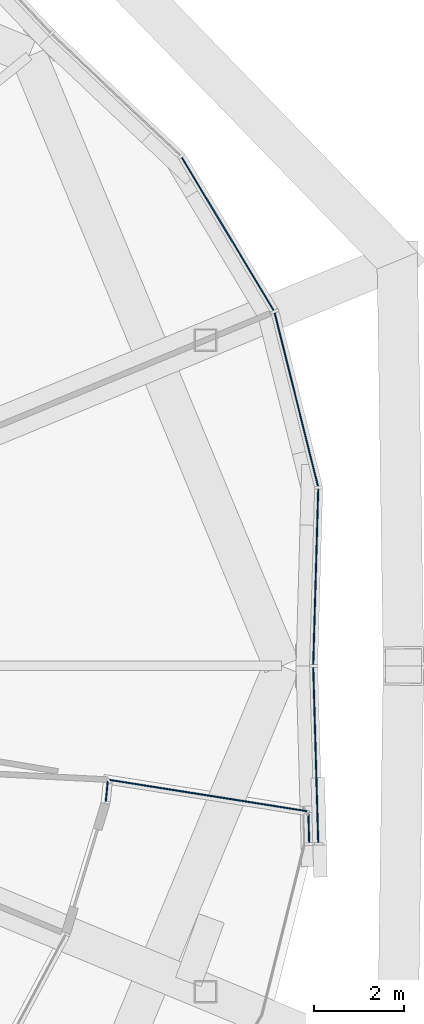
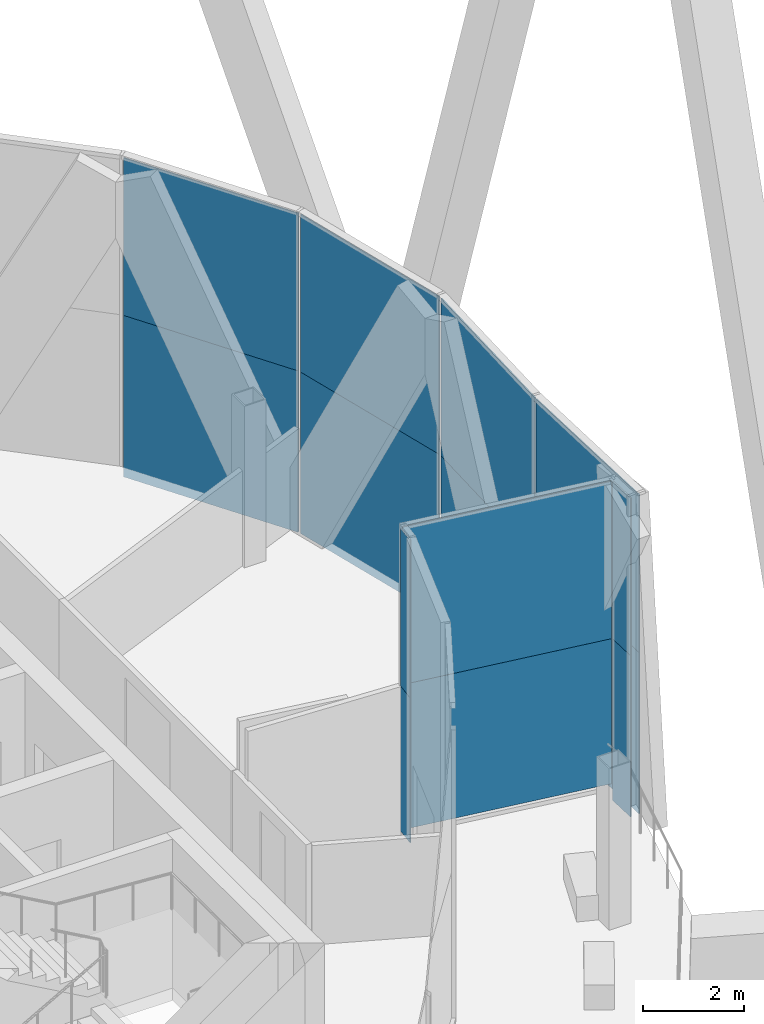
# One storey, part 42 of 53: 14 plates, 4 elements without a shape of their own.
"""IFC4 building model written with IfcOpenShell, lengths in metres."""

from ifc_helpers import new_model, si_unit, direction, frame, origin, origin_2d, place, context, subcontext, project, spatial, rectangle, extrude, material, layer, layer_set, type_object, element, aggregate, save


model = new_model("IFC4")

# Units and contexts
model_context = context("Model", 3, precision=1e-05, world=origin(), true_north=direction((0.0, 1.0)))
body_context = subcontext(model_context, "Body", "Model", "MODEL_VIEW")
ifc_project = project(units=[si_unit("LENGTHUNIT", "METRE"), si_unit("AREAUNIT", "SQUARE_METRE"), si_unit("VOLUMEUNIT", "CUBIC_METRE"), si_unit("PLANEANGLEUNIT", "RADIAN"), si_unit("MASSUNIT", "GRAM", prefix="KILO")], contexts=[model_context])

# Site, building, storey
site_placement = place(None, origin())
site = spatial("IfcSite", under=ifc_project, at=site_placement, CompositionType="ELEMENT")
building_placement = place(site_placement, origin())
building = spatial("IfcBuilding", under=site, at=building_placement, Name="Ogive Gate Towers", CompositionType="ELEMENT")
storey_placement = place(building_placement, frame((0.0, 0.0, 240.60009765625)))
storey = spatial("IfcBuildingStorey", under=building, at=storey_placement, Name="L57", CompositionType="ELEMENT", Elevation=240.60009765625)

# Curtain wall, plates
ifc_material_1 = material(Name="Pale metal aluminium", Category="aluminium")
curtain_wall_type_1 = type_object("IfcCurtainWallType", Name="Sky garden glazing", PredefinedType="NOTDEFINED", material=ifc_material_1)
curtain_wall_1_placement = place(storey_placement, origin())
curtain_wall_1 = element("IfcCurtainWall", 1, at=curtain_wall_1_placement, inside=storey, type_object=curtain_wall_type_1, Name="CW4 T1 ECW02", PredefinedType="NOTDEFINED")
ifc_material_2 = material(Name="Clear glass", Category="glass")
ifc_layer_1 = layer(ifc_material_2, 0.028076171875)
ifc_layer_set_1 = layer_set([ifc_layer_1], Name="Sky garden glazing glass panel")
plate_type_1 = type_object("IfcPlateType", Name="Sky garden glazing glass panel", PredefinedType="CURTAIN_PANEL", material=ifc_layer_set_1)
plate_1_placement = place(storey_placement, frame((-18.510009765625, -2.871337890625, 0.095947265625), z_axis=(0.0, 0.0, 1.0), x_axis=(-0.987688340595, 0.15643446504, 0.0)))
plate_1 = element("IfcPlate", 2, at=plate_1_placement, type_object=plate_type_1, Name="CW4 glass panel", PredefinedType="CURTAIN_PANEL", context=body_context, shape_type="SweptSolid", body=[
    extrude(rectangle(XDim=4.433349609375, YDim=0.028076171875, at=origin_2d()), origin(), (0.0, 0.0, 1.0), 3.50390625),
])
plate_2_placement = place(storey_placement, frame((-18.510009765625, -2.871337890625, 3.60009765625), z_axis=(0.0, 0.0, 1.0), x_axis=(-0.987688340595, 0.15643446504, 0.0)))
plate_2 = element("IfcPlate", 3, at=plate_2_placement, type_object=plate_type_1, Name="CW4 glass panel", PredefinedType="CURTAIN_PANEL", context=body_context, shape_type="SweptSolid", body=[
    extrude(rectangle(XDim=4.433349609375, YDim=0.028076171875, at=origin_2d()), origin(), (0.0, 0.0, 1.0), 3.803955078125),
])
plate_3_placement = place(storey_placement, frame((-20.763427734375, -2.780517578125, 0.095947265625), z_axis=(0.0, 0.0, 1.0), x_axis=(-0.097895554847, -0.995196694298, 0.0)))
plate_3 = element("IfcPlate", 4, at=plate_3_placement, type_object=plate_type_1, Name="CW4 glass panel", PredefinedType="CURTAIN_PANEL", context=body_context, shape_type="SweptSolid", body=[
    extrude(rectangle(XDim=0.448974609375, YDim=0.028076171875, at=origin_2d()), origin(), (0.0, 0.0, 1.0), 3.50390625),
])
plate_4_placement = place(storey_placement, frame((-20.763427734375, -2.780517578125, 3.60009765625), z_axis=(0.0, 0.0, 1.0), x_axis=(-0.097895554847, -0.995196694298, 0.0)))
plate_4 = element("IfcPlate", 5, at=plate_4_placement, type_object=plate_type_1, Name="CW4 glass panel", PredefinedType="CURTAIN_PANEL", context=body_context, shape_type="SweptSolid", body=[
    extrude(rectangle(XDim=0.448974609375, YDim=0.028076171875, at=origin_2d()), origin(), (0.0, 0.0, 1.0), 3.803955078125),
])
aggregate(curtain_wall_1, [plate_1, plate_2, plate_3, plate_4])

curtain_wall_type_2 = type_object("IfcCurtainWallType", Name="Tower unitised wall, high zone", PredefinedType="NOTDEFINED", material=ifc_material_1)
curtain_wall_2_placement = place(storey_placement, origin())
curtain_wall_2 = element("IfcCurtainWall", 6, at=curtain_wall_2_placement, inside=storey, type_object=curtain_wall_type_2, Name="CW2 T1 ECW03", PredefinedType="NOTDEFINED")
ifc_layer_2 = layer(ifc_material_2, 0.028076171875)
ifc_layer_set_2 = layer_set([ifc_layer_2], Name="Tower unitised wall, high zone glass panel")
plate_type_2 = type_object("IfcPlateType", Name="Tower unitised wall, high zone glass panel", PredefinedType="CURTAIN_PANEL", material=ifc_layer_set_2)
plate_5_placement = place(storey_placement, frame((-18.083740234375, 9.5703125, -0.300048828125), z_axis=(0.0, 0.0, 1.0), x_axis=(0.514843576563, -0.85728413707, 0.0)))
plate_5 = element("IfcPlate", 7, at=plate_5_placement, type_object=plate_type_2, Name="CW2 glass panel", PredefinedType="CURTAIN_PANEL", context=body_context, shape_type="SweptSolid", body=[
    extrude(rectangle(XDim=3.952880859375, YDim=0.028076171875, at=origin_2d()), origin(), (0.0, 0.0, 1.0), 3.89990234375),
])
plate_6_placement = place(storey_placement, frame((-18.083740234375, 9.5703125, 3.60009765625), z_axis=(0.0, 0.0, 1.0), x_axis=(0.514843576563, -0.85728413707, 0.0)))
plate_6 = element("IfcPlate", 8, at=plate_6_placement, type_object=plate_type_2, Name="CW2 glass panel", PredefinedType="CURTAIN_PANEL", context=body_context, shape_type="SweptSolid", body=[
    extrude(rectangle(XDim=3.952880859375, YDim=0.028076171875, at=origin_2d()), origin(), (0.0, 0.0, 1.0), 3.803955078125),
])
plate_7_placement = place(storey_placement, frame((-16.564208984375, 5.9013671875, -0.300048828125), z_axis=(0.0, 0.0, 1.0), x_axis=(0.242142042488, -0.970240810964, 0.0)))
plate_7 = element("IfcPlate", 9, at=plate_7_placement, type_object=plate_type_2, Name="CW2 glass panel", PredefinedType="CURTAIN_PANEL", context=body_context, shape_type="SweptSolid", body=[
    extrude(rectangle(XDim=3.953125, YDim=0.028076171875, at=origin_2d()), origin(), (0.0, 0.0, 1.0), 3.89990234375),
])
plate_8_placement = place(storey_placement, frame((-16.564208984375, 5.9013671875, 3.60009765625), z_axis=(0.0, 0.0, 1.0), x_axis=(0.242142042488, -0.970240810964, 0.0)))
plate_8 = element("IfcPlate", 10, at=plate_8_placement, type_object=plate_type_2, Name="CW2 glass panel", PredefinedType="CURTAIN_PANEL", context=body_context, shape_type="SweptSolid", body=[
    extrude(rectangle(XDim=3.953125, YDim=0.028076171875, at=origin_2d()), origin(), (0.0, 0.0, 1.0), 3.803955078125),
])
plate_9_placement = place(storey_placement, frame((-16.134033203125, 1.974853515625, -0.300048828125), z_axis=(0.0, 0.0, 1.0), x_axis=(-0.028322905681, -0.999598826037, 0.0)))
plate_9 = element("IfcPlate", 11, at=plate_9_placement, type_object=plate_type_2, Name="CW2 glass panel", PredefinedType="CURTAIN_PANEL", context=body_context, shape_type="SweptSolid", body=[
    extrude(rectangle(XDim=3.8974609375, YDim=0.028076171875, at=origin_2d()), origin(), (0.0, 0.0, 1.0), 3.89990234375),
])
plate_10_placement = place(storey_placement, frame((-16.134033203125, 1.974853515625, 3.60009765625), z_axis=(0.0, 0.0, 1.0), x_axis=(-0.028322905681, -0.999598826037, 0.0)))
plate_10 = element("IfcPlate", 12, at=plate_10_placement, type_object=plate_type_2, Name="CW2 glass panel", PredefinedType="CURTAIN_PANEL", context=body_context, shape_type="SweptSolid", body=[
    extrude(rectangle(XDim=3.8974609375, YDim=0.028076171875, at=origin_2d()), origin(), (0.0, 0.0, 1.0), 3.803955078125),
])
aggregate(curtain_wall_2, [plate_5, plate_6, plate_7, plate_8, plate_9, plate_10])

curtain_wall_3_placement = place(storey_placement, origin())
curtain_wall_3 = element("IfcCurtainWall", 13, at=curtain_wall_3_placement, inside=storey, type_object=curtain_wall_type_2, Name="CW2 T1 ECW10", PredefinedType="NOTDEFINED")
plate_11_placement = place(storey_placement, frame((-16.13427734375, -1.969970703125, -0.300048828125), z_axis=(0.0, 0.0, 1.0), x_axis=(0.028322905681, -0.999598826037, 0.0)))
plate_11 = element("IfcPlate", 14, at=plate_11_placement, type_object=plate_type_2, Name="CW2 glass panel", PredefinedType="CURTAIN_PANEL", context=body_context, shape_type="SweptSolid", body=[
    extrude(rectangle(XDim=3.887451171875, YDim=0.028076171875, at=origin_2d()), origin(), (0.0, 0.0, 1.0), 3.89990234375),
])
plate_12_placement = place(storey_placement, frame((-16.13427734375, -1.969970703125, 3.60009765625), z_axis=(0.0, 0.0, 1.0), x_axis=(0.028322905681, -0.999598826037, 0.0)))
plate_12 = element("IfcPlate", 15, at=plate_12_placement, type_object=plate_type_2, Name="CW2 glass panel", PredefinedType="CURTAIN_PANEL", context=body_context, shape_type="SweptSolid", body=[
    extrude(rectangle(XDim=3.887451171875, YDim=0.028076171875, at=origin_2d()), origin(), (0.0, 0.0, 1.0), 3.803955078125),
])
aggregate(curtain_wall_3, [plate_11, plate_12])

curtain_wall_4_placement = place(storey_placement, origin())
curtain_wall_4 = element("IfcCurtainWall", 16, at=curtain_wall_4_placement, inside=storey, type_object=curtain_wall_type_2, Name="CW2 T1 ECW10b", PredefinedType="NOTDEFINED")
plate_13_placement = place(storey_placement, frame((-16.28857421875, -3.58349609375, -0.300048828125), z_axis=(0.0, 0.0, 1.0), x_axis=(-0.028305459386, 0.999599320212, 0.0)))
plate_13 = element("IfcPlate", 17, at=plate_13_placement, type_object=plate_type_2, Name="CW2 glass panel", PredefinedType="CURTAIN_PANEL", context=body_context, shape_type="SweptSolid", body=[
    extrude(rectangle(XDim=0.67041015625, YDim=0.028076171875, at=origin_2d()), origin(), (0.0, 0.0, 1.0), 3.89990234375),
])
plate_14_placement = place(storey_placement, frame((-16.28857421875, -3.58349609375, 3.60009765625), z_axis=(0.0, 0.0, 1.0), x_axis=(-0.028305459386, 0.999599320212, 0.0)))
plate_14 = element("IfcPlate", 18, at=plate_14_placement, type_object=plate_type_2, Name="CW2 glass panel", PredefinedType="CURTAIN_PANEL", context=body_context, shape_type="SweptSolid", body=[
    extrude(rectangle(XDim=0.67041015625, YDim=0.028076171875, at=origin_2d()), origin(), (0.0, 0.0, 1.0), 3.803955078125),
])
aggregate(curtain_wall_4, [plate_13, plate_14])

save(model, "model.ifc")
